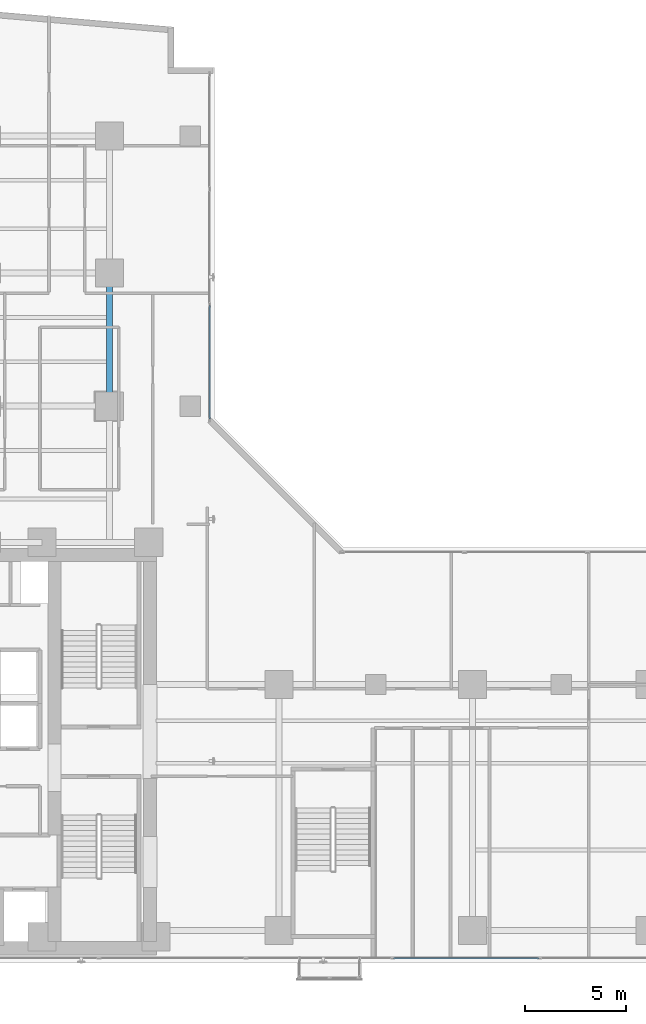
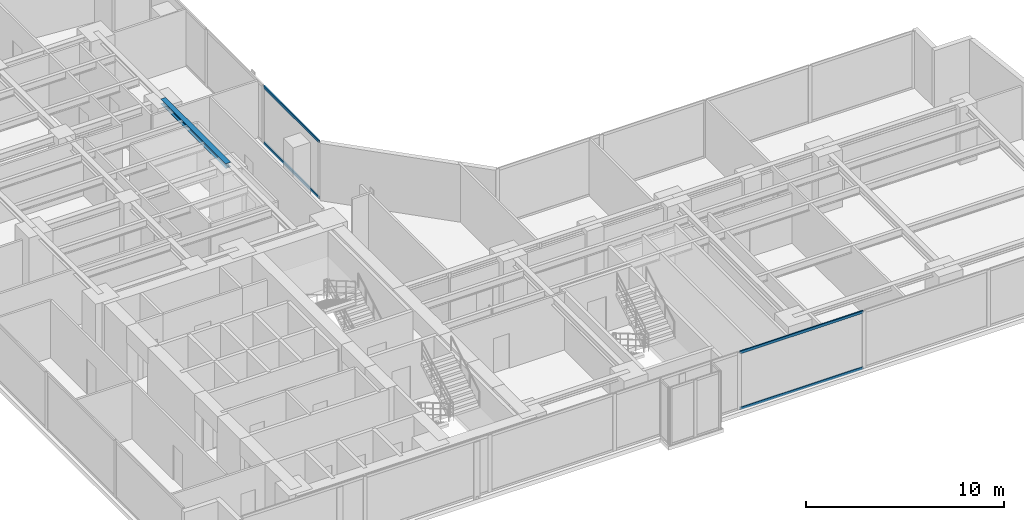
# One storey, part 10 of 26: 4 members, 1 beam, 2 elements without a shape of their own.
"""IFC4 building model written with IfcOpenShell, lengths in metres."""

import ifcopenshell
import ifcopenshell.guid

model = None  # the IFC model being written
_history = None  # IfcOwnerHistory: only IFC2X3 demands one
_inside = {}  # id of a spatial element -> (the spatial element, [elements in it])
_under = {}  # id of a project, library or spatial element -> (it, [spatial elements below it])
_declared = {}  # id of a project -> (the project, [libraries it declares])
_typed = {}  # id of a type object -> (the type object, [elements of that type])
_made_of = {}  # id of a material, layer set ... -> (it, [elements and type objects made of it])


def new_model(schema):
    """Start an empty IFC model of exactly this schema.

    Asked for "IFC4X3", IfcOpenShell would pick the latest addendum, in which some entities
    have other attributes; the version numbers below select the first issue.
    IFC2X3 requires an IfcOwnerHistory on every rooted entity: one is made here for all.
    """
    global model, _history
    if schema == "IFC4X3":
        model = ifcopenshell.file(schema_version=(4, 3, 0, 0))
    else:
        model = ifcopenshell.file(schema=schema)
    _inside.clear()
    _under.clear()
    _declared.clear()
    _typed.clear()
    _made_of.clear()
    _history = None
    if model.schema == "IFC2X3":
        org = make("IfcOrganization", Name="unknown")
        user = make(
            "IfcPersonAndOrganization",
            ThePerson=make("IfcPerson", FamilyName="unknown"),
            TheOrganization=org,
        )
        app = make(
            "IfcApplication",
            ApplicationDeveloper=org,
            Version="unknown",
            ApplicationFullName="unknown",
            ApplicationIdentifier="unknown",
        )
        _history = make(
            "IfcOwnerHistory",
            OwningUser=user,
            OwningApplication=app,
            ChangeAction="ADDED",
            CreationDate=0,
        )
    return model


def make(cls, **values):
    """One entity of the class cls with the attributes given. An attribute that is None is left unset."""
    return model.create_entity(
        cls, **{name: value for name, value in values.items() if value is not None}
    )


def rooted(cls, **values):
    """An entity with a GlobalId (a new one), such as an element, a storey or a relation."""
    return make(cls, GlobalId=ifcopenshell.guid.new(), OwnerHistory=_history, **values)


def si_unit(unit_type, name, prefix=None):
    """IfcSIUnit, for example si_unit("LENGTHUNIT", "METRE", prefix="MILLI")."""
    return make("IfcSIUnit", UnitType=unit_type, Prefix=prefix, Name=name)


def assignment(units):
    """IfcUnitAssignment: the units of a project."""
    return None if units is None else make("IfcUnitAssignment", Units=units)


def point(xyz):
    """IfcCartesianPoint."""
    return None if xyz is None else make("IfcCartesianPoint", Coordinates=xyz)


def direction(xyz):
    """IfcDirection."""
    return None if xyz is None else make("IfcDirection", DirectionRatios=xyz)


def frame(location, z_axis=None, x_axis=None):
    """IfcAxis2Placement3D, a coordinate frame: its origin and axes. An axis left out is left unset."""
    return make(
        "IfcAxis2Placement3D",
        Location=point(location),
        Axis=direction(z_axis),
        RefDirection=direction(x_axis),
    )


def frame_2d(location, x_axis=None):
    """IfcAxis2Placement2D, a coordinate frame in the plane: its origin and x axis."""
    return make(
        "IfcAxis2Placement2D", Location=point(location), RefDirection=direction(x_axis)
    )


def origin():
    """The frame at (0, 0, 0) with its axes left unset."""
    return frame((0.0, 0.0, 0.0))


def origin_with_axes():
    """The frame at (0, 0, 0) with the z axis (0, 0, 1) and the x axis (1, 0, 0) written out."""
    return frame((0.0, 0.0, 0.0), z_axis=(0.0, 0.0, 1.0), x_axis=(1.0, 0.0, 0.0))


def origin_2d():
    """The frame at (0, 0) in the plane with its x axis left unset."""
    return frame_2d((0.0, 0.0))


def place(relative_to, where):
    """IfcLocalPlacement: puts the frame where relative to a parent placement (None: the world)."""
    return make(
        "IfcLocalPlacement", PlacementRelTo=relative_to, RelativePlacement=where
    )


def context(
    kind, dimensions, precision=None, world=None, true_north=None, identifier=None
):
    """IfcGeometricRepresentationContext, for example the 3D "Model" context."""
    return make(
        "IfcGeometricRepresentationContext",
        ContextIdentifier=identifier,
        ContextType=kind,
        CoordinateSpaceDimension=dimensions,
        Precision=precision,
        WorldCoordinateSystem=world,
        TrueNorth=true_north,
    )


def subcontext(parent, identifier, kind, view, scale=None):
    """IfcGeometricRepresentationSubContext, for example "Body" below "Model"."""
    return make(
        "IfcGeometricRepresentationSubContext",
        ContextIdentifier=identifier,
        ContextType=kind,
        ParentContext=parent,
        TargetScale=scale,
        TargetView=view,
    )


def project(units=None, contexts=None):
    """IfcProject with its units and contexts."""
    return rooted(
        "IfcProject",
        Name="project",
        RepresentationContexts=contexts,
        UnitsInContext=assignment(units),
    )


def spatial(cls, under=None, at=None, **own):
    """A site, building, storey or space (cls), placed at a placement, below another one or the project."""
    s = rooted(cls, ObjectPlacement=at, **own)
    if under is not None:
        _under.setdefault(under.id(), (under, []))[1].append(s)
    return s


def profile(cls, at=None, kind="AREA", **sizes):
    """A parametric profile (cls). Its sizes go by their IFC names, for example OverallWidth=200.0."""
    return make(cls, ProfileType=kind, Position=at, **sizes)


def hollow_rectangle(**sizes):
    """IfcRectangleHollowProfileDef."""
    return profile("IfcRectangleHollowProfileDef", **sizes)


def i_section(**sizes):
    """IfcIShapeProfileDef."""
    return profile("IfcIShapeProfileDef", **sizes)


def extrude(swept, where, along, depth):
    """IfcExtrudedAreaSolid: the profile swept, set in the frame where, extruded along a direction by depth."""
    return make(
        "IfcExtrudedAreaSolid",
        SweptArea=swept,
        Position=where,
        ExtrudedDirection=direction(along),
        Depth=depth,
    )


def shape(context_of_items, identifier, shape_type, items):
    """IfcShapeRepresentation: the items that make up one representation, for example the "Body"."""
    return make(
        "IfcShapeRepresentation",
        ContextOfItems=context_of_items,
        RepresentationIdentifier=identifier,
        RepresentationType=shape_type,
        Items=items,
    )


def source(mapping_origin, context_of_items, identifier, shape_type, items):
    """IfcRepresentationMap: a shape defined once, which mapped items show again and again."""
    return make(
        "IfcRepresentationMap",
        MappingOrigin=mapping_origin,
        MappedRepresentation=shape(context_of_items, identifier, shape_type, items),
    )


def transform(
    local_origin,
    x_axis=None,
    y_axis=None,
    z_axis=None,
    scale=None,
    scale2=None,
    scale3=None,
    uniform=True,
):
    """IfcCartesianTransformationOperator3D, or its non-uniform kind. x_axis, y_axis, z_axis: its Axis1, 2, 3."""
    if uniform:
        return make(
            "IfcCartesianTransformationOperator3D",
            Axis1=direction(x_axis),
            Axis2=direction(y_axis),
            LocalOrigin=point(local_origin),
            Scale=scale,
            Axis3=direction(z_axis),
        )
    return make(
        "IfcCartesianTransformationOperator3DnonUniform",
        Axis1=direction(x_axis),
        Axis2=direction(y_axis),
        LocalOrigin=point(local_origin),
        Scale=scale,
        Axis3=direction(z_axis),
        Scale2=scale2,
        Scale3=scale3,
    )


def mapped(mapping_source, mapping_target):
    """IfcMappedItem: shows the shape of a source again, moved by a transform."""
    return make(
        "IfcMappedItem", MappingSource=mapping_source, MappingTarget=mapping_target
    )


def material(Name=None, Category=None):
    """IfcMaterial."""
    return make("IfcMaterial", Name=Name, Category=Category)


def layer(
    of_material, thickness, ventilated=None, Name=None, Category=None, Priority=None
):
    """IfcMaterialLayer: one layer of a wall or slab, of a material (None: an air gap)."""
    return make(
        "IfcMaterialLayer",
        Material=of_material,
        LayerThickness=thickness,
        IsVentilated=ventilated,
        Name=Name,
        Category=Category,
        Priority=Priority,
    )


def layer_set(layers, Name=None):
    """IfcMaterialLayerSet."""
    return make("IfcMaterialLayerSet", MaterialLayers=layers, LayerSetName=Name)


def material_profile(
    of_material, cross_section, Name=None, Category=None, Priority=None
):
    """IfcMaterialProfile: a cross section and its material."""
    return make(
        "IfcMaterialProfile",
        Name=Name,
        Material=of_material,
        Profile=cross_section,
        Priority=Priority,
        Category=Category,
    )


def profile_set(profiles, Name=None, composite=None):
    """IfcMaterialProfileSet."""
    return make(
        "IfcMaterialProfileSet",
        Name=Name,
        MaterialProfiles=profiles,
        CompositeProfile=composite,
    )


def made_of(thing, what):
    """Note that an element or type object is made of a material, layer set ...; save() writes the relation."""
    if what is not None:
        _made_of.setdefault(what.id(), (what, []))[1].append(thing)
    return thing


def type_object(cls, material=None, **own):
    """A type object (cls), such as IfcWallType, which elements share."""
    return made_of(rooted(cls, **own), material)


def element(
    cls,
    number,
    at=None,
    inside=None,
    cuts=None,
    type_object=None,
    material=None,
    context=None,
    identifier="Body",
    shape_type=None,
    held_by="IfcProductDefinitionShape",
    body=None,
    shapes=None,
    **own,
):
    """One element of the class cls, such as IfcWall. Its Tag is "e" and its number.

    at: its placement. inside: the storey or other place that contains it. cuts: it is an
    opening in that element (IfcRelVoidsElement). A single representation is given by context,
    identifier, shape_type and body (its items); several are given by shapes. held_by: the class
    of the entity that holds the representations. save() writes the other relations.
    """
    e = rooted(cls, Tag="e%d" % number, ObjectPlacement=at, **own)
    if body is not None:
        shapes = [shape(context, identifier, shape_type, body)]
    if shapes is not None:
        e.Representation = make(held_by, Representations=shapes)
    if inside is not None:
        _inside.setdefault(inside.id(), (inside, []))[1].append(e)
    if cuts is not None:
        rooted(
            "IfcRelVoidsElement", RelatingBuildingElement=cuts, RelatedOpeningElement=e
        )
    if type_object is not None:
        _typed.setdefault(type_object.id(), (type_object, []))[1].append(e)
    return made_of(e, material)


def aggregate(whole, parts):
    """IfcRelAggregates: a whole, such as a stair, and the parts it consists of."""
    return rooted("IfcRelAggregates", RelatingObject=whole, RelatedObjects=parts)


def save(model, path):
    """Write the relations noted so far, then the file.

    IfcRelAggregates (storeys below a building ...), IfcRelContainedInSpatialStructure (elements
    in a storey), IfcRelDefinesByType, IfcRelAssociatesMaterial and IfcRelDeclares: one each for
    every whole, place, type object, material and project.
    """
    for whole, parts in _under.values():
        aggregate(whole, parts)
    for where, things in _inside.values():
        rooted(
            "IfcRelContainedInSpatialStructure",
            RelatedElements=things,
            RelatingStructure=where,
        )
    for kind, things in _typed.values():
        rooted("IfcRelDefinesByType", RelatedObjects=things, RelatingType=kind)
    for what, things in _made_of.values():
        rooted("IfcRelAssociatesMaterial", RelatedObjects=things, RelatingMaterial=what)
    for by, libraries in _declared.values():
        rooted("IfcRelDeclares", RelatingContext=by, RelatedDefinitions=libraries)
    model.write(path)


model = new_model("IFC4")

# Units and contexts
model_context = context("Model", 3, precision=1e-05, world=origin(), true_north=direction((0.0, 1.0)))
body_context = subcontext(model_context, "Body", "Model", "MODEL_VIEW")
ifc_project = project(units=[si_unit("LENGTHUNIT", "METRE"), si_unit("AREAUNIT", "SQUARE_METRE"), si_unit("VOLUMEUNIT", "CUBIC_METRE"), si_unit("PLANEANGLEUNIT", "RADIAN"), si_unit("MASSUNIT", "GRAM", prefix="KILO")], contexts=[model_context])

# Site, building, storey
site_placement = place(None, origin())
site = spatial("IfcSite", under=ifc_project, at=site_placement, CompositionType="ELEMENT")
building_placement = place(site_placement, origin())
building = spatial("IfcBuilding", under=site, at=building_placement, Name="Kolvaren Waterfront Exchange", CompositionType="ELEMENT")
storey_placement = place(building_placement, frame((0.0, 0.0, 125.89990234375)))
storey = spatial("IfcBuildingStorey", under=building, at=storey_placement, Name="L32", CompositionType="ELEMENT", Elevation=125.89990234375)

# Beam
ifc_material_1 = material(Name="Steel S355", Category="steel")
ifc_material_profile_1 = material_profile(ifc_material_1, i_section(OverallWidth=0.300048828125, OverallDepth=0.300048828125, WebThickness=0.010986328125, FlangeThickness=0.01904296875, FilletRadius=0.027099609375, at=origin_2d()), Name="HEB300")
ifc_profile_set_1 = profile_set([ifc_material_profile_1], Name="Steel S355")
beam_type = type_object("IfcBeamType", Name="STR-BM-HEB300", PredefinedType="SPANDREL", material=ifc_profile_set_1)
beam_placement = place(storey_placement, frame((18.800048828125, 31.199951171875, 3.39013671875), z_axis=(0.0, 1.0, 0.0), x_axis=(-1.0, 0.0, 0.0)))
element("IfcBeam", 1, at=beam_placement, inside=storey, type_object=beam_type, Name="L32 north-arm edge beam 2", PredefinedType="SPANDREL", context=body_context, shape_type="SweptSolid", body=[
    extrude(i_section(OverallWidth=0.300048828125, OverallDepth=0.300048828125, WebThickness=0.010986328125, FlangeThickness=0.01904296875, FilletRadius=0.027099609375, at=origin_2d()), origin(), (0.0, 0.0, 1.0), 6.60009765625),
])

# Curtain wall, members
ifc_material_2 = material(Name="Anodised bronze aluminium 6063-T6", Category="aluminium")
ifc_layer = layer(ifc_material_2, 0.219970703125, Name="Anodised bronze aluminium 6063-T6")
ifc_layer_set = layer_set([ifc_layer], Name="Anodised bronze aluminium 6063-T6")
curtain_wall_type = type_object("IfcCurtainWallType", Name="ARC-CW-SYS1", PredefinedType="USERDEFINED", material=ifc_layer_set)
curtain_wall_1_placement = place(storey_placement, origin())
curtain_wall_1 = element("IfcCurtainWall", 2, at=curtain_wall_1_placement, inside=storey, type_object=curtain_wall_type, Name="L32 stick curtain wall CW1 (CW-L32-NE)", ObjectType="STICK CURTAIN WALL", PredefinedType="USERDEFINED")
ifc_material_3 = material(Name="Anodised aluminium 6063-T6", Category="aluminium")
ifc_material_profile_2 = material_profile(ifc_material_3, hollow_rectangle(XDim=0.074951171875, YDim=0.159912109375, WallThickness=0.00439453125, at=origin_2d()), Name="ALU-TRN-160x75x4.5")
ifc_profile_set_2 = profile_set([ifc_material_profile_2], Name="Anodised aluminium 6063-T6")
member_type = type_object("IfcMemberType", Name="ARC-CWT-160", PredefinedType="USERDEFINED", material=ifc_profile_set_2)
shared_shape_1 = source(origin_with_axes(), body_context, "Body", "SweptSolid", [
    extrude(hollow_rectangle(XDim=0.074951171875, YDim=0.159912109375, WallThickness=0.00439453125, at=origin_2d()), origin(), (0.0, 0.0, 1.0), 5.61669921875),
])
member_1_placement = place(storey_placement, frame((23.760009765625, 30.570068359375, 0.03759765625), z_axis=(0.0, 1.0, 0.0), x_axis=(-1.0, 0.0, 0.0)))
member_1 = element("IfcMember", 3, at=member_1_placement, type_object=member_type, Name="CW1 transom 1.1", ObjectType="TRANSOM", PredefinedType="USERDEFINED", context=body_context, shape_type="MappedRepresentation", body=[
    mapped(shared_shape_1, transform((0.0, 0.0, 0.0), x_axis=(1.0, 0.0, 0.0), y_axis=(0.0, 1.0, 0.0), z_axis=(0.0, 0.0, 1.0), scale=1.0)),
])
member_2_placement = place(storey_placement, frame((23.760009765625, 30.570068359375, 3.502685546875), z_axis=(0.0, 1.0, 0.0), x_axis=(-1.0, 0.0, 0.0)))
member_2 = element("IfcMember", 4, at=member_2_placement, type_object=member_type, Name="CW1 transom 1.2", ObjectType="TRANSOM", PredefinedType="USERDEFINED", context=body_context, shape_type="MappedRepresentation", body=[
    mapped(shared_shape_1, transform((0.0, 0.0, 0.0), x_axis=(1.0, 0.0, 0.0), y_axis=(0.0, 1.0, 0.0), z_axis=(0.0, 0.0, 1.0), scale=1.0)),
])
aggregate(curtain_wall_1, [member_1, member_2])

curtain_wall_2_placement = place(storey_placement, origin())
curtain_wall_2 = element("IfcCurtainWall", 5, at=curtain_wall_2_placement, inside=storey, type_object=curtain_wall_type, Name="L32 stick curtain wall CW1 (CW-L32-S)", ObjectType="STICK CURTAIN WALL", PredefinedType="USERDEFINED")
shared_shape_2 = source(origin_with_axes(), body_context, "Body", "SweptSolid", [
    extrude(hollow_rectangle(XDim=0.074951171875, YDim=0.159912109375, WallThickness=0.00439453125, at=origin_2d()), origin(), (0.0, 0.0, 1.0), 7.205810546875),
])
member_3_placement = place(storey_placement, frame((32.8828125, 3.840087890625, 0.03759765625), z_axis=(1.0, 0.0, 0.0), x_axis=(0.0, 1.0, 0.0)))
member_3 = element("IfcMember", 6, at=member_3_placement, type_object=member_type, Name="CW1 transom 5.1", ObjectType="TRANSOM", PredefinedType="USERDEFINED", context=body_context, shape_type="MappedRepresentation", body=[
    mapped(shared_shape_2, transform((0.0, 0.0, 0.0), x_axis=(1.0, 0.0, 0.0), y_axis=(0.0, 1.0, 0.0), z_axis=(0.0, 0.0, 1.0), scale=1.0)),
])
member_4_placement = place(storey_placement, frame((32.8828125, 3.840087890625, 3.502685546875), z_axis=(1.0, 0.0, 0.0), x_axis=(0.0, 1.0, 0.0)))
member_4 = element("IfcMember", 7, at=member_4_placement, type_object=member_type, Name="CW1 transom 5.2", ObjectType="TRANSOM", PredefinedType="USERDEFINED", context=body_context, shape_type="MappedRepresentation", body=[
    mapped(shared_shape_2, transform((0.0, 0.0, 0.0), x_axis=(1.0, 0.0, 0.0), y_axis=(0.0, 1.0, 0.0), z_axis=(0.0, 0.0, 1.0), scale=1.0)),
])
aggregate(curtain_wall_2, [member_3, member_4])

save(model, "model.ifc")
